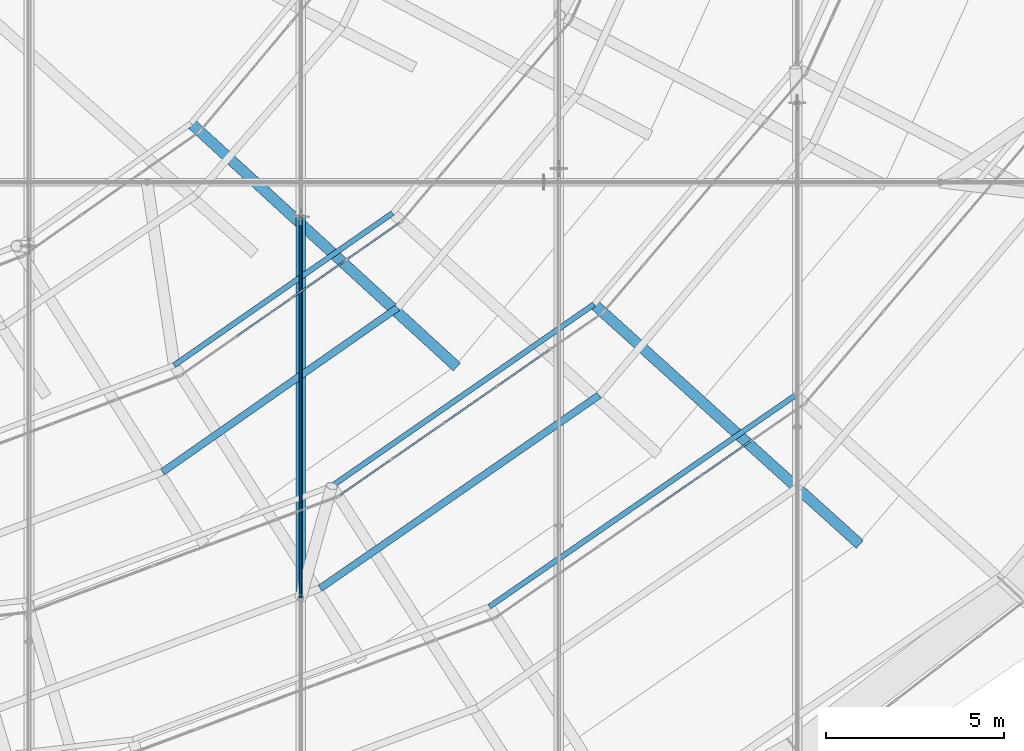
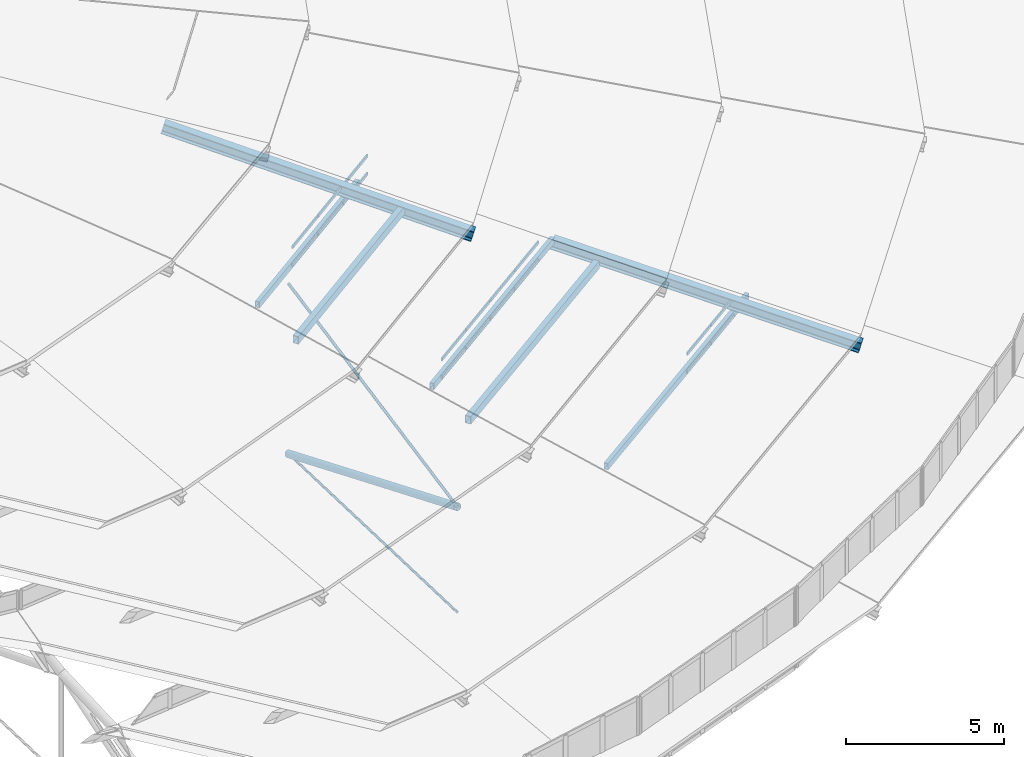
# One storey, part 77 of 173: 28 members, 3 elements without a shape of their own.
"""IFC4 building model written with IfcOpenShell, lengths in metres."""

from ifc_helpers import new_model, si_unit, direction, frame, origin, origin_2d, place, context, subcontext, project, spatial, rectangle, hollow_rectangle, circle, hollow_circle, i_section, extrude, material, material_profile, profile_set, type_object, element, aggregate, save


model = new_model("IFC4")

# Units and contexts
model_context = context("Model", 3, precision=1e-05, world=origin(), true_north=direction((0.0, 1.0)))
body_context = subcontext(model_context, "Body", "Model", "MODEL_VIEW")
ifc_project = project(units=[si_unit("LENGTHUNIT", "METRE"), si_unit("AREAUNIT", "SQUARE_METRE"), si_unit("VOLUMEUNIT", "CUBIC_METRE"), si_unit("PLANEANGLEUNIT", "RADIAN"), si_unit("MASSUNIT", "GRAM", prefix="KILO")], contexts=[model_context])

# Site, building, storey
site_placement = place(None, origin())
site = spatial("IfcSite", under=ifc_project, at=site_placement, CompositionType="ELEMENT")
building_placement = place(site_placement, origin())
building = spatial("IfcBuilding", under=site, at=building_placement, Name="Glasvene Arena", CompositionType="ELEMENT")
storey_placement = place(building_placement, frame((0.0, 0.0, 28.800048828125)))
storey = spatial("IfcBuildingStorey", under=building, at=storey_placement, Name="RF", CompositionType="ELEMENT", Elevation=28.800048828125)

# Curtain wall, members
ifc_material_1 = material(Name="Low-emissivity laminated double glazing", Category="glass")
curtain_wall_type_1 = type_object("IfcCurtainWallType", Name="CW-PET1-1054x75", PredefinedType="USERDEFINED", material=ifc_material_1)
curtain_wall_1_placement = place(storey_placement, frame((112.925048828125, 40.350830078125, 0.0)))
curtain_wall_1 = element("IfcCurtainWall", 1, at=curtain_wall_1_placement, inside=storey, type_object=curtain_wall_type_1, Name="Petal ring 1-2 clerestory curtain wall 21", ObjectType="CURTAIN WALL", PredefinedType="USERDEFINED")
ifc_material_2 = material(Name="Anodised architectural aluminium", Category="aluminium")
ifc_material_profile_1 = material_profile(ifc_material_2, rectangle(XDim=0.050048828125, YDim=0.1201171875, at=origin_2d()), Name="ALU TRANSOM 50x120")
ifc_profile_set_1 = profile_set([ifc_material_profile_1], Name="Anodised architectural aluminium")
member_type_1 = type_object("IfcMemberType", Name="CW-TRN-120", PredefinedType="USERDEFINED", material=ifc_profile_set_1)
member_1_placement = place(storey_placement, frame((117.279296875, 43.360595703125, 2.60498046875), z_axis=(0.82255264471, 0.56868897183, 0.0), x_axis=(-0.56868897183, 0.82255264471, 0.0)))
member_1 = element("IfcMember", 2, at=member_1_placement, type_object=member_type_1, Name="CW-084 transom 4.1", ObjectType="TRANSOM", PredefinedType="USERDEFINED", context=body_context, shape_type="SweptSolid", body=[
    extrude(rectangle(XDim=0.050048828125, YDim=0.1201171875, at=origin_2d()), origin(), (0.0, 0.0, 1.0), 1.7060546875),
])
member_2_placement = place(storey_placement, frame((117.279296875, 43.360595703125, 3.304931640625), z_axis=(0.82255264471, 0.56868897183, 0.0), x_axis=(-0.56868897183, 0.82255264471, 0.0)))
member_2 = element("IfcMember", 3, at=member_2_placement, type_object=member_type_1, Name="CW-084 transom 4.2", ObjectType="TRANSOM", PredefinedType="USERDEFINED", context=body_context, shape_type="SweptSolid", body=[
    extrude(rectangle(XDim=0.050048828125, YDim=0.1201171875, at=origin_2d()), origin(), (0.0, 0.0, 1.0), 1.7060546875),
])
member_3_placement = place(storey_placement, frame((118.723876953125, 44.359130859375, 2.60498046875), z_axis=(0.82255264471, 0.56868897183, 0.0), x_axis=(-0.56868897183, 0.82255264471, 0.0)))
member_3 = element("IfcMember", 4, at=member_3_placement, type_object=member_type_1, Name="CW-084 transom 5.1", ObjectType="TRANSOM", PredefinedType="USERDEFINED", context=body_context, shape_type="SweptSolid", body=[
    extrude(rectangle(XDim=0.050048828125, YDim=0.1201171875, at=origin_2d()), origin(), (0.0, 0.0, 1.0), 1.7060546875),
])
member_4_placement = place(storey_placement, frame((118.723876953125, 44.359130859375, 3.304931640625), z_axis=(0.82255264471, 0.56868897183, 0.0), x_axis=(-0.56868897183, 0.82255264471, 0.0)))
member_4 = element("IfcMember", 5, at=member_4_placement, type_object=member_type_1, Name="CW-084 transom 5.2", ObjectType="TRANSOM", PredefinedType="USERDEFINED", context=body_context, shape_type="SweptSolid", body=[
    extrude(rectangle(XDim=0.050048828125, YDim=0.1201171875, at=origin_2d()), origin(), (0.0, 0.0, 1.0), 1.7060546875),
])
aggregate(curtain_wall_1, [member_1, member_2, member_3, member_4])

curtain_wall_type_2 = type_object("IfcCurtainWallType", Name="CW-PET2-905x75", PredefinedType="USERDEFINED", material=ifc_material_1)
curtain_wall_2_placement = place(storey_placement, frame((108.5, 43.74755859375, 0.0)))
curtain_wall_2 = element("IfcCurtainWall", 6, at=curtain_wall_2_placement, inside=storey, type_object=curtain_wall_type_2, Name="Petal ring 2-3 clerestory curtain wall 21", ObjectType="CURTAIN WALL", PredefinedType="USERDEFINED")
member_5_placement = place(storey_placement, frame((108.541015625, 43.77587890625, 5.204833984375), z_axis=(0.821690330378, 0.569934207575, 0.0), x_axis=(-0.569934207575, 0.821690330378, 0.0)))
member_5 = element("IfcMember", 7, at=member_5_placement, type_object=member_type_1, Name="CW-090 transom 1.1", ObjectType="TRANSOM", PredefinedType="USERDEFINED", context=body_context, shape_type="SweptSolid", body=[
    extrude(rectangle(XDim=0.050048828125, YDim=0.1201171875, at=origin_2d()), origin(), (0.0, 0.0, 1.0), 1.73486328125),
])
member_6_placement = place(storey_placement, frame((108.541015625, 43.77587890625, 5.905029296875), z_axis=(0.821690330378, 0.569934207575, 0.0), x_axis=(-0.569934207575, 0.821690330378, 0.0)))
member_6 = element("IfcMember", 8, at=member_6_placement, type_object=member_type_1, Name="CW-090 transom 1.2", ObjectType="TRANSOM", PredefinedType="USERDEFINED", context=body_context, shape_type="SweptSolid", body=[
    extrude(rectangle(XDim=0.050048828125, YDim=0.1201171875, at=origin_2d()), origin(), (0.0, 0.0, 1.0), 1.73486328125),
])
member_7_placement = place(storey_placement, frame((110.007568359375, 44.793212890625, 5.204833984375), z_axis=(0.821772410678, 0.569815851875, 0.0), x_axis=(-0.569815851875, 0.821772410678, 0.0)))
member_7 = element("IfcMember", 9, at=member_7_placement, type_object=member_type_1, Name="CW-090 transom 2.1", ObjectType="TRANSOM", PredefinedType="USERDEFINED", context=body_context, shape_type="SweptSolid", body=[
    extrude(rectangle(XDim=0.050048828125, YDim=0.1201171875, at=origin_2d()), origin(), (0.0, 0.0, 1.0), 1.759765625),
])
member_8_placement = place(storey_placement, frame((110.007568359375, 44.793212890625, 5.905029296875), z_axis=(0.821772410678, 0.569815851875, 0.0), x_axis=(-0.569815851875, 0.821772410678, 0.0)))
member_8 = element("IfcMember", 10, at=member_8_placement, type_object=member_type_1, Name="CW-090 transom 2.2", ObjectType="TRANSOM", PredefinedType="USERDEFINED", context=body_context, shape_type="SweptSolid", body=[
    extrude(rectangle(XDim=0.050048828125, YDim=0.1201171875, at=origin_2d()), origin(), (0.0, 0.0, 1.0), 1.759765625),
])
member_9_placement = place(storey_placement, frame((111.49462890625, 45.824462890625, 5.204833984375), z_axis=(0.821662375705, 0.56997450851, 0.0), x_axis=(-0.56997450851, 0.821662375705, 0.0)))
member_9 = element("IfcMember", 11, at=member_9_placement, type_object=member_type_1, Name="CW-090 transom 3.1", ObjectType="TRANSOM", PredefinedType="USERDEFINED", context=body_context, shape_type="SweptSolid", body=[
    extrude(rectangle(XDim=0.050048828125, YDim=0.1201171875, at=origin_2d()), origin(), (0.0, 0.0, 1.0), 1.759521484375),
])
member_10_placement = place(storey_placement, frame((111.49462890625, 45.824462890625, 5.905029296875), z_axis=(0.821662375705, 0.56997450851, 0.0), x_axis=(-0.56997450851, 0.821662375705, 0.0)))
member_10 = element("IfcMember", 12, at=member_10_placement, type_object=member_type_1, Name="CW-090 transom 3.2", ObjectType="TRANSOM", PredefinedType="USERDEFINED", context=body_context, shape_type="SweptSolid", body=[
    extrude(rectangle(XDim=0.050048828125, YDim=0.1201171875, at=origin_2d()), origin(), (0.0, 0.0, 1.0), 1.759521484375),
])
member_11_placement = place(storey_placement, frame((112.981689453125, 46.85595703125, 5.204833984375), z_axis=(0.821662375705, 0.56997450851, 0.0), x_axis=(-0.56997450851, 0.821662375705, 0.0)))
member_11 = element("IfcMember", 13, at=member_11_placement, type_object=member_type_1, Name="CW-090 transom 4.1", ObjectType="TRANSOM", PredefinedType="USERDEFINED", context=body_context, shape_type="SweptSolid", body=[
    extrude(rectangle(XDim=0.050048828125, YDim=0.1201171875, at=origin_2d()), origin(), (0.0, 0.0, 1.0), 1.759521484375),
])
member_12_placement = place(storey_placement, frame((112.981689453125, 46.85595703125, 5.905029296875), z_axis=(0.821662375705, 0.56997450851, 0.0), x_axis=(-0.56997450851, 0.821662375705, 0.0)))
member_12 = element("IfcMember", 14, at=member_12_placement, type_object=member_type_1, Name="CW-090 transom 4.2", ObjectType="TRANSOM", PredefinedType="USERDEFINED", context=body_context, shape_type="SweptSolid", body=[
    extrude(rectangle(XDim=0.050048828125, YDim=0.1201171875, at=origin_2d()), origin(), (0.0, 0.0, 1.0), 1.759521484375),
])
aggregate(curtain_wall_2, [member_5, member_6, member_7, member_8, member_9, member_10, member_11, member_12])

curtain_wall_type_3 = type_object("IfcCurtainWallType", Name="CW-PET3-756x75", PredefinedType="USERDEFINED", material=ifc_material_1)
curtain_wall_3_placement = place(storey_placement, frame((104.074951171875, 47.14404296875, 0.0)))
curtain_wall_3 = element("IfcCurtainWall", 15, at=curtain_wall_3_placement, inside=storey, type_object=curtain_wall_type_3, Name="Petal ring 3-4 clerestory curtain wall 21", ObjectType="CURTAIN WALL", PredefinedType="USERDEFINED")
member_13_placement = place(storey_placement, frame((105.646240234375, 48.239013671875, 7.85498046875), z_axis=(0.820464170964, 0.571697948364, 0.0), x_axis=(-0.571697948364, 0.820464170964, 0.0)))
member_13 = element("IfcMember", 16, at=member_13_placement, type_object=member_type_1, Name="CW-096 transom 2.1", ObjectType="TRANSOM", PredefinedType="USERDEFINED", context=body_context, shape_type="SweptSolid", body=[
    extrude(rectangle(XDim=0.050048828125, YDim=0.1201171875, at=origin_2d()), origin(), (0.0, 0.0, 1.0), 1.840087890625),
])
member_14_placement = place(storey_placement, frame((105.646240234375, 48.239013671875, 8.554931640625), z_axis=(0.820464170964, 0.571697948364, 0.0), x_axis=(-0.571697948364, 0.820464170964, 0.0)))
member_14 = element("IfcMember", 17, at=member_14_placement, type_object=member_type_1, Name="CW-096 transom 2.2", ObjectType="TRANSOM", PredefinedType="USERDEFINED", context=body_context, shape_type="SweptSolid", body=[
    extrude(rectangle(XDim=0.050048828125, YDim=0.1201171875, at=origin_2d()), origin(), (0.0, 0.0, 1.0), 1.840087890625),
])
member_15_placement = place(storey_placement, frame((107.197021484375, 49.319580078125, 7.85498046875), z_axis=(0.820358557699, 0.571849487899, 0.0), x_axis=(-0.571849487899, 0.820358557699, 0.0)))
member_15 = element("IfcMember", 18, at=member_15_placement, type_object=member_type_1, Name="CW-096 transom 3.1", ObjectType="TRANSOM", PredefinedType="USERDEFINED", context=body_context, shape_type="SweptSolid", body=[
    extrude(rectangle(XDim=0.050048828125, YDim=0.1201171875, at=origin_2d()), origin(), (0.0, 0.0, 1.0), 1.840087890625),
])
member_16_placement = place(storey_placement, frame((107.197021484375, 49.319580078125, 8.554931640625), z_axis=(0.820358557699, 0.571849487899, 0.0), x_axis=(-0.571849487899, 0.820358557699, 0.0)))
member_16 = element("IfcMember", 19, at=member_16_placement, type_object=member_type_1, Name="CW-096 transom 3.2", ObjectType="TRANSOM", PredefinedType="USERDEFINED", context=body_context, shape_type="SweptSolid", body=[
    extrude(rectangle(XDim=0.050048828125, YDim=0.1201171875, at=origin_2d()), origin(), (0.0, 0.0, 1.0), 1.840087890625),
])
member_17_placement = place(storey_placement, frame((108.74755859375, 50.400390625, 7.85498046875), z_axis=(0.82043066746, 0.571746027438, 0.0), x_axis=(-0.571746027438, 0.82043066746, 0.0)))
member_17 = element("IfcMember", 20, at=member_17_placement, type_object=member_type_1, Name="CW-096 transom 4.1", ObjectType="TRANSOM", PredefinedType="USERDEFINED", context=body_context, shape_type="SweptSolid", body=[
    extrude(rectangle(XDim=0.050048828125, YDim=0.1201171875, at=origin_2d()), origin(), (0.0, 0.0, 1.0), 1.815185546875),
])
member_18_placement = place(storey_placement, frame((108.74755859375, 50.400390625, 8.554931640625), z_axis=(0.82043066746, 0.571746027438, 0.0), x_axis=(-0.571746027438, 0.82043066746, 0.0)))
member_18 = element("IfcMember", 21, at=member_18_placement, type_object=member_type_1, Name="CW-096 transom 4.2", ObjectType="TRANSOM", PredefinedType="USERDEFINED", context=body_context, shape_type="SweptSolid", body=[
    extrude(rectangle(XDim=0.050048828125, YDim=0.1201171875, at=origin_2d()), origin(), (0.0, 0.0, 1.0), 1.815185546875),
])
aggregate(curtain_wall_3, [member_13, member_14, member_15, member_16, member_17, member_18])

# Members
ifc_material_3 = material(Name="High-strength steel spiral strand S460", Category="steel")
ifc_material_profile_2 = material_profile(ifc_material_3, circle(Radius=0.052490234375, at=origin_2d()), Name="LCSS D105")
ifc_profile_set_2 = profile_set([ifc_material_profile_2], Name="High-strength steel spiral strand S460")
member_type_2 = type_object("IfcMemberType", Name="MB-CABLE-105", PredefinedType="USERDEFINED", material=ifc_profile_set_2)
member_19_placement = place(storey_placement, frame((107.45068359375, 40.90185546875, 2.328857421875), z_axis=(0.0, 0.980507464191, 0.196481838004), x_axis=(-1.0, 0.0, 0.0)))
element("IfcMember", 22, at=member_19_placement, inside=storey, type_object=member_type_2, Name="Upper lens roof cable NS03-02", ObjectType="ROOF CABLE", PredefinedType="USERDEFINED", context=body_context, shape_type="SweptSolid", body=[
    extrude(circle(Radius=0.052490234375, at=origin_2d()), origin(), (0.0, 0.0, 1.0), 10.912109375),
])
ifc_material_profile_3 = material_profile(ifc_material_3, circle(Radius=0.044921875, at=origin_2d()), Name="LCSS D90")
ifc_profile_set_3 = profile_set([ifc_material_profile_3], Name="High-strength steel spiral strand S460")
member_type_3 = type_object("IfcMemberType", Name="MB-CABLE-90", PredefinedType="USERDEFINED", material=ifc_profile_set_3)
member_20_placement = place(storey_placement, frame((107.45068359375, 40.90185546875, -1.753173828125), z_axis=(0.0, 0.99943639544, -0.033569204201), x_axis=(-1.0, 0.0, 0.0)))
element("IfcMember", 23, at=member_20_placement, inside=storey, type_object=member_type_3, Name="Lower stabilization roof cable NS03-02", ObjectType="ROOF CABLE", PredefinedType="USERDEFINED", context=body_context, shape_type="SweptSolid", body=[
    extrude(circle(Radius=0.044921875, at=origin_2d()), origin(), (0.0, 0.0, 1.0), 10.70556640625),
])
ifc_material_4 = material(Name="Steel S355J2", Category="steel")
ifc_material_profile_4 = material_profile(ifc_material_4, i_section(OverallWidth=0.300048828125, OverallDepth=0.39990234375, WebThickness=0.013427734375, FlangeThickness=0.02392578125, FilletRadius=0.027099609375, at=origin_2d()), Name="HEB 400")
ifc_profile_set_4 = profile_set([ifc_material_profile_4], Name="Steel S355J2")
member_type_4 = type_object("IfcMemberType", Name="MB-CHORD-HEB400", PredefinedType="CHORD", material=ifc_profile_set_4)
member_21_placement = place(storey_placement, frame((123.1123046875, 42.434326171875, 2.14990234375), z_axis=(-0.719056202767, 0.649588341673, 0.246967940479), x_axis=(-0.670353443841, -0.742041953214, 0.0)))
element("IfcMember", 24, at=member_21_placement, inside=storey, type_object=member_type_4, Name="Petal ring 2 radial rib 22", PredefinedType="CHORD", context=body_context, shape_type="SweptSolid", body=[
    extrude(i_section(OverallWidth=0.300048828125, OverallDepth=0.39990234375, WebThickness=0.013427734375, FlangeThickness=0.02392578125, FilletRadius=0.027099609375, at=origin_2d()), origin(), (0.0, 0.0, 1.0), 10.325439453125),
])
member_22_placement = place(storey_placement, frame((111.797607421875, 47.41748046875, 7.39990234375), z_axis=(-0.712919299396, 0.653444890052, 0.254471704151), x_axis=(-0.675688403695, -0.73718734465, 0.0)))
element("IfcMember", 25, at=member_22_placement, inside=storey, type_object=member_type_4, Name="Petal ring 4 radial rib 22", PredefinedType="CHORD", context=body_context, shape_type="SweptSolid", body=[
    extrude(i_section(OverallWidth=0.300048828125, OverallDepth=0.39990234375, WebThickness=0.013427734375, FlangeThickness=0.02392578125, FilletRadius=0.027099609375, at=origin_2d()), origin(), (0.0, 0.0, 1.0), 10.414306640625),
])
ifc_material_profile_5 = material_profile(ifc_material_4, hollow_rectangle(XDim=0.14990234375, YDim=0.25, WallThickness=0.010009765625, at=origin_2d()), Name="RHS 250x150x10.0")
ifc_profile_set_5 = profile_set([ifc_material_profile_5], Name="Steel S355J2")
member_type_5 = type_object("IfcMemberType", Name="MB-PURLIN-RHS250", PredefinedType="PURLIN", material=ifc_profile_set_5)
member_23_placement = place(storey_placement, frame((112.75, 40.65380859375, 2.181884765625), z_axis=(0.822844597344, 0.568266459174, 0.0), x_axis=(-0.568266459174, 0.822844597344, 0.0)))
element("IfcMember", 26, at=member_23_placement, inside=storey, type_object=member_type_5, Name="Petal ring 1 ridge purlin 21", PredefinedType="PURLIN", context=body_context, shape_type="SweptSolid", body=[
    extrude(hollow_rectangle(XDim=0.14990234375, YDim=0.25, WallThickness=0.010009765625, at=origin_2d()), origin(), (0.0, 0.0, 1.0), 10.445556640625),
])
member_24_placement = place(storey_placement, frame((108.324951171875, 44.037841796875, 4.781982421875), z_axis=(0.82185554448, 0.569695939961, 0.0), x_axis=(-0.569695939961, 0.82185554448, 0.0)))
element("IfcMember", 27, at=member_24_placement, inside=storey, type_object=member_type_5, Name="Petal ring 2 ridge purlin 21", PredefinedType="PURLIN", context=body_context, shape_type="SweptSolid", body=[
    extrude(hollow_rectangle(XDim=0.14990234375, YDim=0.25, WallThickness=0.010009765625, at=origin_2d()), origin(), (0.0, 0.0, 1.0), 8.958740234375),
])
member_25_placement = place(storey_placement, frame((103.89990234375, 47.430908203125, 7.431884765625), z_axis=(0.820576038105, 0.571537370334, 0.0), x_axis=(-0.571537370334, 0.820576038105, 0.0)))
element("IfcMember", 28, at=member_25_placement, inside=storey, type_object=member_type_5, Name="Petal ring 3 ridge purlin 21", PredefinedType="PURLIN", context=body_context, shape_type="SweptSolid", body=[
    extrude(hollow_rectangle(XDim=0.14990234375, YDim=0.25, WallThickness=0.010009765625, at=origin_2d()), origin(), (0.0, 0.0, 1.0), 7.47119140625),
])
ifc_material_profile_6 = material_profile(ifc_material_4, hollow_rectangle(XDim=0.199951171875, YDim=0.300048828125, WallThickness=0.012451171875, at=origin_2d()), Name="RHS 300x200x12.5")
ifc_profile_set_6 = profile_set([ifc_material_profile_6], Name="Steel S355J2")
member_type_6 = type_object("IfcMemberType", Name="MB-PURLIN-RHS300", PredefinedType="PURLIN", material=ifc_profile_set_6)
member_26_placement = place(storey_placement, frame((108.0, 41.16845703125, 5.33935546875), z_axis=(0.822222652654, 0.569165977077, 0.0), x_axis=(-0.569165977077, 0.822222652654, 0.0)))
element("IfcMember", 29, at=member_26_placement, inside=storey, type_object=member_type_6, Name="Petal ring 3 outer purlin 21", PredefinedType="PURLIN", context=body_context, shape_type="SweptSolid", body=[
    extrude(hollow_rectangle(XDim=0.199951171875, YDim=0.300048828125, WallThickness=0.012451171875, at=origin_2d()), origin(), (0.0, 0.0, 1.0), 9.521240234375),
])
member_27_placement = place(storey_placement, frame((103.574951171875, 44.435302734375, 8.00048828125), z_axis=(0.819748991351, 0.57272296198, 0.0), x_axis=(-0.57272296198, 0.819748991351, 0.0)))
element("IfcMember", 30, at=member_27_placement, inside=storey, type_object=member_type_6, Name="Petal ring 4 outer purlin 21", PredefinedType="PURLIN", context=body_context, shape_type="SweptSolid", body=[
    extrude(hollow_rectangle(XDim=0.199951171875, YDim=0.300048828125, WallThickness=0.012451171875, at=origin_2d()), origin(), (0.0, 0.0, 1.0), 8.046875),
])
ifc_material_profile_7 = material_profile(ifc_material_4, hollow_circle(Radius=0.136474609375, WallThickness=0.012451171875, at=origin_2d()), Name="CHS 273.0x12.5")
ifc_profile_set_7 = profile_set([ifc_material_profile_7], Name="Steel S355J2")
member_type_7 = type_object("IfcMemberType", Name="MB-WEB-CHS273", PredefinedType="BRACE", material=ifc_profile_set_7)
member_28_placement = place(storey_placement, frame((107.45068359375, 40.90185546875, 2.328857421875), z_axis=(0.0, 0.923588002787, -0.383386490512), x_axis=(-1.0, 0.0, 0.0)))
element("IfcMember", 31, at=member_28_placement, inside=storey, type_object=member_type_7, Name="Cable-truss diagonal web strut NS03-02", PredefinedType="BRACE", context=body_context, shape_type="SweptSolid", body=[
    extrude(hollow_circle(Radius=0.136474609375, WallThickness=0.012451171875, at=origin_2d()), origin(), (0.0, 0.0, 1.0), 11.584716796875),
])

save(model, "model.ifc")
